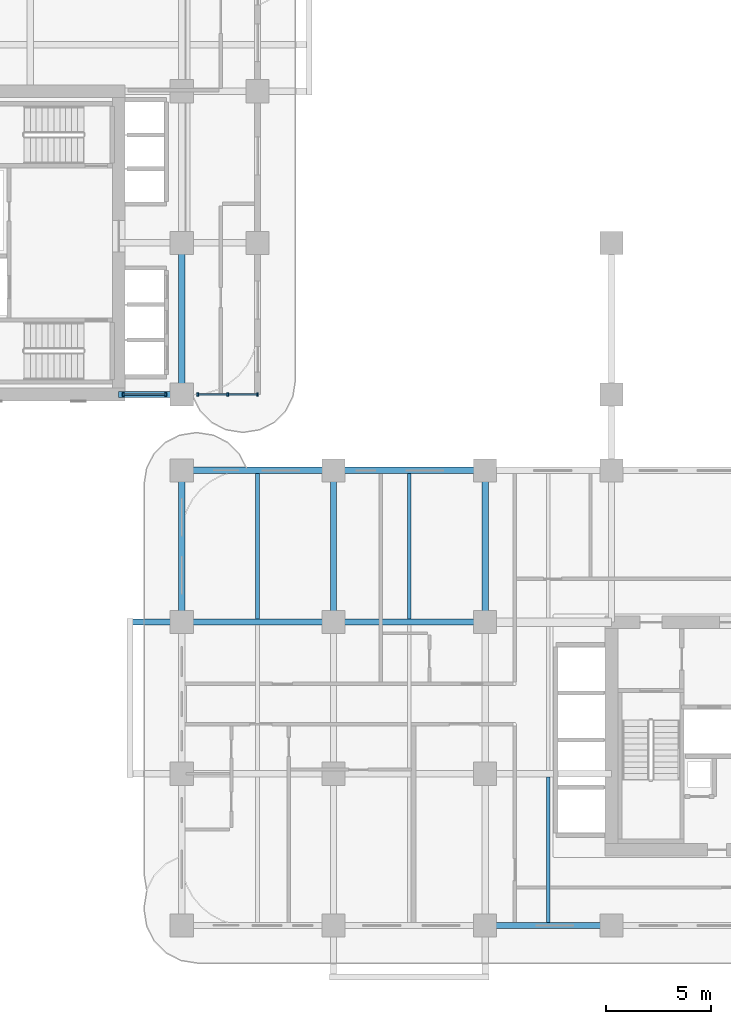
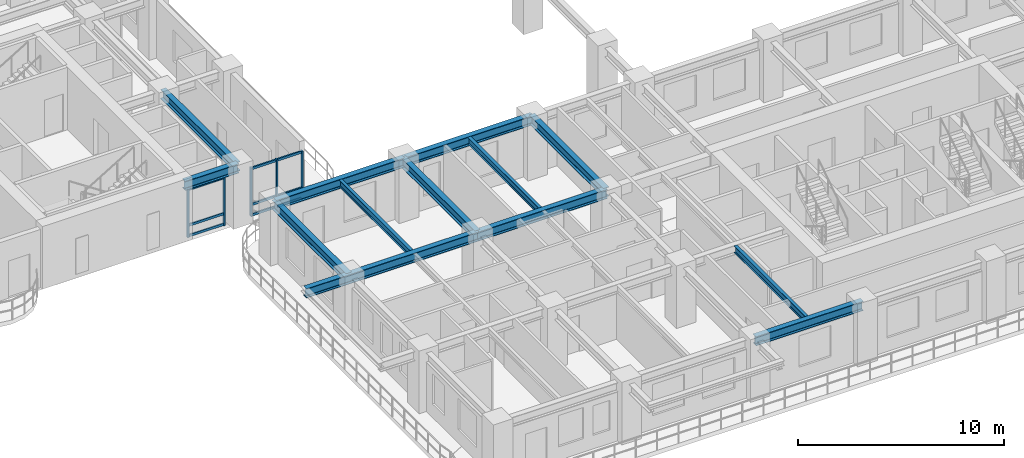
# One storey, part 2 of 18: 14 members, 13 beams, 2 elements without a shape of their own.
"""IFC4 building model written with IfcOpenShell, lengths in metres."""

import ifcopenshell
import ifcopenshell.guid

model = None  # the IFC model being written
_history = None  # IfcOwnerHistory: only IFC2X3 demands one
_inside = {}  # id of a spatial element -> (the spatial element, [elements in it])
_under = {}  # id of a project, library or spatial element -> (it, [spatial elements below it])
_declared = {}  # id of a project -> (the project, [libraries it declares])
_typed = {}  # id of a type object -> (the type object, [elements of that type])
_made_of = {}  # id of a material, layer set ... -> (it, [elements and type objects made of it])


def new_model(schema):
    """Start an empty IFC model of exactly this schema.

    Asked for "IFC4X3", IfcOpenShell would pick the latest addendum, in which some entities
    have other attributes; the version numbers below select the first issue.
    IFC2X3 requires an IfcOwnerHistory on every rooted entity: one is made here for all.
    """
    global model, _history
    if schema == "IFC4X3":
        model = ifcopenshell.file(schema_version=(4, 3, 0, 0))
    else:
        model = ifcopenshell.file(schema=schema)
    _inside.clear()
    _under.clear()
    _declared.clear()
    _typed.clear()
    _made_of.clear()
    _history = None
    if model.schema == "IFC2X3":
        org = make("IfcOrganization", Name="unknown")
        user = make(
            "IfcPersonAndOrganization",
            ThePerson=make("IfcPerson", FamilyName="unknown"),
            TheOrganization=org,
        )
        app = make(
            "IfcApplication",
            ApplicationDeveloper=org,
            Version="unknown",
            ApplicationFullName="unknown",
            ApplicationIdentifier="unknown",
        )
        _history = make(
            "IfcOwnerHistory",
            OwningUser=user,
            OwningApplication=app,
            ChangeAction="ADDED",
            CreationDate=0,
        )
    return model


def make(cls, **values):
    """One entity of the class cls with the attributes given. An attribute that is None is left unset."""
    return model.create_entity(
        cls, **{name: value for name, value in values.items() if value is not None}
    )


def rooted(cls, **values):
    """An entity with a GlobalId (a new one), such as an element, a storey or a relation."""
    return make(cls, GlobalId=ifcopenshell.guid.new(), OwnerHistory=_history, **values)


def si_unit(unit_type, name, prefix=None):
    """IfcSIUnit, for example si_unit("LENGTHUNIT", "METRE", prefix="MILLI")."""
    return make("IfcSIUnit", UnitType=unit_type, Prefix=prefix, Name=name)


def derived_unit(unit_type, elements):
    """IfcDerivedUnit: a product of units, each with its exponent."""
    return make(
        "IfcDerivedUnit",
        Elements=[
            make("IfcDerivedUnitElement", Unit=unit, Exponent=power)
            for unit, power in elements
        ],
        UnitType=unit_type,
    )


def assignment(units):
    """IfcUnitAssignment: the units of a project."""
    return None if units is None else make("IfcUnitAssignment", Units=units)


def point(xyz):
    """IfcCartesianPoint."""
    return None if xyz is None else make("IfcCartesianPoint", Coordinates=xyz)


def direction(xyz):
    """IfcDirection."""
    return None if xyz is None else make("IfcDirection", DirectionRatios=xyz)


def frame(location, z_axis=None, x_axis=None):
    """IfcAxis2Placement3D, a coordinate frame: its origin and axes. An axis left out is left unset."""
    return make(
        "IfcAxis2Placement3D",
        Location=point(location),
        Axis=direction(z_axis),
        RefDirection=direction(x_axis),
    )


def frame_2d(location, x_axis=None):
    """IfcAxis2Placement2D, a coordinate frame in the plane: its origin and x axis."""
    return make(
        "IfcAxis2Placement2D", Location=point(location), RefDirection=direction(x_axis)
    )


def origin():
    """The frame at (0, 0, 0) with its axes left unset."""
    return frame((0.0, 0.0, 0.0))


def origin_2d():
    """The frame at (0, 0) in the plane with its x axis left unset."""
    return frame_2d((0.0, 0.0))


def place(relative_to, where):
    """IfcLocalPlacement: puts the frame where relative to a parent placement (None: the world)."""
    return make(
        "IfcLocalPlacement", PlacementRelTo=relative_to, RelativePlacement=where
    )


def context(
    kind, dimensions, precision=None, world=None, true_north=None, identifier=None
):
    """IfcGeometricRepresentationContext, for example the 3D "Model" context."""
    return make(
        "IfcGeometricRepresentationContext",
        ContextIdentifier=identifier,
        ContextType=kind,
        CoordinateSpaceDimension=dimensions,
        Precision=precision,
        WorldCoordinateSystem=world,
        TrueNorth=true_north,
    )


def subcontext(parent, identifier, kind, view, scale=None):
    """IfcGeometricRepresentationSubContext, for example "Body" below "Model"."""
    return make(
        "IfcGeometricRepresentationSubContext",
        ContextIdentifier=identifier,
        ContextType=kind,
        ParentContext=parent,
        TargetScale=scale,
        TargetView=view,
    )


def project(units=None, contexts=None):
    """IfcProject with its units and contexts."""
    return rooted(
        "IfcProject",
        Name="project",
        RepresentationContexts=contexts,
        UnitsInContext=assignment(units),
    )


def spatial(cls, under=None, at=None, **own):
    """A site, building, storey or space (cls), placed at a placement, below another one or the project."""
    s = rooted(cls, ObjectPlacement=at, **own)
    if under is not None:
        _under.setdefault(under.id(), (under, []))[1].append(s)
    return s


def profile(cls, at=None, kind="AREA", **sizes):
    """A parametric profile (cls). Its sizes go by their IFC names, for example OverallWidth=200.0."""
    return make(cls, ProfileType=kind, Position=at, **sizes)


def rectangle(**sizes):
    """IfcRectangleProfileDef."""
    return profile("IfcRectangleProfileDef", **sizes)


def i_section(**sizes):
    """IfcIShapeProfileDef."""
    return profile("IfcIShapeProfileDef", **sizes)


def extrude(swept, where, along, depth):
    """IfcExtrudedAreaSolid: the profile swept, set in the frame where, extruded along a direction by depth."""
    return make(
        "IfcExtrudedAreaSolid",
        SweptArea=swept,
        Position=where,
        ExtrudedDirection=direction(along),
        Depth=depth,
    )


def shape(context_of_items, identifier, shape_type, items):
    """IfcShapeRepresentation: the items that make up one representation, for example the "Body"."""
    return make(
        "IfcShapeRepresentation",
        ContextOfItems=context_of_items,
        RepresentationIdentifier=identifier,
        RepresentationType=shape_type,
        Items=items,
    )


def source(mapping_origin, context_of_items, identifier, shape_type, items):
    """IfcRepresentationMap: a shape defined once, which mapped items show again and again."""
    return make(
        "IfcRepresentationMap",
        MappingOrigin=mapping_origin,
        MappedRepresentation=shape(context_of_items, identifier, shape_type, items),
    )


def transform(
    local_origin,
    x_axis=None,
    y_axis=None,
    z_axis=None,
    scale=None,
    scale2=None,
    scale3=None,
    uniform=True,
):
    """IfcCartesianTransformationOperator3D, or its non-uniform kind. x_axis, y_axis, z_axis: its Axis1, 2, 3."""
    if uniform:
        return make(
            "IfcCartesianTransformationOperator3D",
            Axis1=direction(x_axis),
            Axis2=direction(y_axis),
            LocalOrigin=point(local_origin),
            Scale=scale,
            Axis3=direction(z_axis),
        )
    return make(
        "IfcCartesianTransformationOperator3DnonUniform",
        Axis1=direction(x_axis),
        Axis2=direction(y_axis),
        LocalOrigin=point(local_origin),
        Scale=scale,
        Axis3=direction(z_axis),
        Scale2=scale2,
        Scale3=scale3,
    )


def mapped(mapping_source, mapping_target):
    """IfcMappedItem: shows the shape of a source again, moved by a transform."""
    return make(
        "IfcMappedItem", MappingSource=mapping_source, MappingTarget=mapping_target
    )


def material(Name=None, Category=None):
    """IfcMaterial."""
    return make("IfcMaterial", Name=Name, Category=Category)


def layer(
    of_material, thickness, ventilated=None, Name=None, Category=None, Priority=None
):
    """IfcMaterialLayer: one layer of a wall or slab, of a material (None: an air gap)."""
    return make(
        "IfcMaterialLayer",
        Material=of_material,
        LayerThickness=thickness,
        IsVentilated=ventilated,
        Name=Name,
        Category=Category,
        Priority=Priority,
    )


def layer_set(layers, Name=None):
    """IfcMaterialLayerSet."""
    return make("IfcMaterialLayerSet", MaterialLayers=layers, LayerSetName=Name)


def material_profile(
    of_material, cross_section, Name=None, Category=None, Priority=None
):
    """IfcMaterialProfile: a cross section and its material."""
    return make(
        "IfcMaterialProfile",
        Name=Name,
        Material=of_material,
        Profile=cross_section,
        Priority=Priority,
        Category=Category,
    )


def profile_set(profiles, Name=None, composite=None):
    """IfcMaterialProfileSet."""
    return make(
        "IfcMaterialProfileSet",
        Name=Name,
        MaterialProfiles=profiles,
        CompositeProfile=composite,
    )


def made_of(thing, what):
    """Note that an element or type object is made of a material, layer set ...; save() writes the relation."""
    if what is not None:
        _made_of.setdefault(what.id(), (what, []))[1].append(thing)
    return thing


def type_object(cls, material=None, **own):
    """A type object (cls), such as IfcWallType, which elements share."""
    return made_of(rooted(cls, **own), material)


def type_shapes(of_type, sources):
    """Give a type object the sources (RepresentationMaps) that its elements show as mapped items."""
    of_type.RepresentationMaps = sources


def element(
    cls,
    number,
    at=None,
    inside=None,
    cuts=None,
    type_object=None,
    material=None,
    context=None,
    identifier="Body",
    shape_type=None,
    held_by="IfcProductDefinitionShape",
    body=None,
    shapes=None,
    **own,
):
    """One element of the class cls, such as IfcWall. Its Tag is "e" and its number.

    at: its placement. inside: the storey or other place that contains it. cuts: it is an
    opening in that element (IfcRelVoidsElement). A single representation is given by context,
    identifier, shape_type and body (its items); several are given by shapes. held_by: the class
    of the entity that holds the representations. save() writes the other relations.
    """
    e = rooted(cls, Tag="e%d" % number, ObjectPlacement=at, **own)
    if body is not None:
        shapes = [shape(context, identifier, shape_type, body)]
    if shapes is not None:
        e.Representation = make(held_by, Representations=shapes)
    if inside is not None:
        _inside.setdefault(inside.id(), (inside, []))[1].append(e)
    if cuts is not None:
        rooted(
            "IfcRelVoidsElement", RelatingBuildingElement=cuts, RelatedOpeningElement=e
        )
    if type_object is not None:
        _typed.setdefault(type_object.id(), (type_object, []))[1].append(e)
    return made_of(e, material)


def aggregate(whole, parts):
    """IfcRelAggregates: a whole, such as a stair, and the parts it consists of."""
    return rooted("IfcRelAggregates", RelatingObject=whole, RelatedObjects=parts)


def save(model, path):
    """Write the relations noted so far, then the file.

    IfcRelAggregates (storeys below a building ...), IfcRelContainedInSpatialStructure (elements
    in a storey), IfcRelDefinesByType, IfcRelAssociatesMaterial and IfcRelDeclares: one each for
    every whole, place, type object, material and project.
    """
    for whole, parts in _under.values():
        aggregate(whole, parts)
    for where, things in _inside.values():
        rooted(
            "IfcRelContainedInSpatialStructure",
            RelatedElements=things,
            RelatingStructure=where,
        )
    for kind, things in _typed.values():
        rooted("IfcRelDefinesByType", RelatedObjects=things, RelatingType=kind)
    for what, things in _made_of.values():
        rooted("IfcRelAssociatesMaterial", RelatedObjects=things, RelatingMaterial=what)
    for by, libraries in _declared.values():
        rooted("IfcRelDeclares", RelatingContext=by, RelatedDefinitions=libraries)
    model.write(path)


model = new_model("IFC4")

# Units and contexts
model_context = context("Model", 3, precision=1e-05, world=origin(), true_north=direction((0.0, 1.0)))
body_context = subcontext(model_context, "Body", "Model", "MODEL_VIEW")
ifc_project = project(units=[si_unit("LENGTHUNIT", "METRE"), si_unit("AREAUNIT", "SQUARE_METRE"), si_unit("VOLUMEUNIT", "CUBIC_METRE"), si_unit("PLANEANGLEUNIT", "RADIAN"), si_unit("MASSUNIT", "GRAM", prefix="KILO"), si_unit("THERMODYNAMICTEMPERATUREUNIT", "KELVIN"), si_unit("POWERUNIT", "WATT"), derived_unit("THERMALTRANSMITTANCEUNIT", [(si_unit("POWERUNIT", "WATT"), 1), (si_unit("AREAUNIT", "SQUARE_METRE"), -1), (si_unit("THERMODYNAMICTEMPERATUREUNIT", "KELVIN"), -1)])], contexts=[model_context])

# Site, building, storey
site_placement = place(None, origin())
site = spatial("IfcSite", under=ifc_project, at=site_placement, CompositionType="ELEMENT")
building_placement = place(site_placement, origin())
building = spatial("IfcBuilding", under=site, at=building_placement, Name="Zahravan Archway Hotel and Residences", CompositionType="ELEMENT")
storey_placement = place(building_placement, frame((0.0, 0.0, 58.300048828125)))
storey = spatial("IfcBuildingStorey", under=building, at=storey_placement, Name="L13", CompositionType="ELEMENT", Elevation=58.300048828125)

# Beams
ifc_material_1 = material(Name="Structural Steel S355JR", Category="steel")
ifc_material_profile_1 = material_profile(ifc_material_1, i_section(OverallWidth=0.300048828125, OverallDepth=0.550048828125, WebThickness=0.014892578125, FlangeThickness=0.029052734375, FilletRadius=0.027099609375, at=origin_2d()), Name="HEB 550", Category="steel")
ifc_profile_set_1 = profile_set([ifc_material_profile_1], Name="Structural Steel S355JR")
beam_type_1 = type_object("IfcBeamType", Name="BM-PRI-HEB550", PredefinedType="BEAM", material=ifc_profile_set_1)
shared_shape_1 = source(origin(), body_context, "Body", "SweptSolid", [
    extrude(i_section(OverallWidth=0.300048828125, OverallDepth=0.550048828125, WebThickness=0.014892578125, FlangeThickness=0.029052734375, FilletRadius=0.027099609375, at=origin_2d()), origin(), (0.0, 0.0, 1.0), 7.2001953125),
])
type_shapes(beam_type_1, [shared_shape_1])
for number, where, z_axis, x_axis, name in (
    (1, (14.39990234375, 21.60009765625, 3.175048828125), (1.0, 0.0, 0.0), (0.0, 1.0, 0.0), "L13 Primary Girder EW-14"),
    (2, (14.39990234375, 14.39990234375, 3.175048828125), (0.0, 1.0, 0.0), (-1.0, 0.0, 0.0), "L13 Primary Girder NS-33"),
    (3, (21.60009765625, 14.39990234375, 3.175048828125), (0.0, 1.0, 0.0), (-1.0, 0.0, 0.0), "L13 Primary Girder NS-39"),
    (4, (28.800048828125, 14.39990234375, 3.175048828125), (0.0, 1.0, 0.0), (-1.0, 0.0, 0.0), "L13 Primary Girder NS-42"),
):
    element("IfcBeam", number, at=place(storey_placement, frame(where, z_axis=z_axis, x_axis=x_axis)), inside=storey, type_object=beam_type_1, Name=name, PredefinedType="BEAM", context=body_context, shape_type="MappedRepresentation", body=[
        mapped(shared_shape_1, transform((0.0, 0.0, 0.0), scale=1.0)),
    ])
shared_shape_2 = source(origin(), body_context, "Body", "SweptSolid", [
    extrude(i_section(OverallWidth=0.300048828125, OverallDepth=0.550048828125, WebThickness=0.014892578125, FlangeThickness=0.029052734375, FilletRadius=0.027099609375, at=origin_2d()), origin(), (0.0, 0.0, 1.0), 7.199951171875),
])
for number, where, z_axis, x_axis, name in (
    (5, (21.60009765625, 14.39990234375, 3.175048828125), (1.0, 0.0, 0.0), (0.0, 1.0, 0.0), "L13 Primary Girder EW-12"),
    (6, (21.60009765625, 21.60009765625, 3.175048828125), (1.0, 0.0, 0.0), (0.0, 1.0, 0.0), "L13 Primary Girder EW-15"),
    (7, (14.39990234375, 25.199951171875, 3.175048828125), (0.0, 1.0, 0.0), (-1.0, 0.0, 0.0), "L13 Primary Girder NS-34"),
):
    element("IfcBeam", number, at=place(storey_placement, frame(where, z_axis=z_axis, x_axis=x_axis)), inside=storey, type_object=beam_type_1, Name=name, PredefinedType="BEAM", context=body_context, shape_type="MappedRepresentation", body=[
        mapped(shared_shape_2, transform((0.0, 0.0, 0.0), scale=1.0)),
    ])
shared_shape_3 = source(origin(), body_context, "Body", "SweptSolid", [
    extrude(i_section(OverallWidth=0.300048828125, OverallDepth=0.550048828125, WebThickness=0.014892578125, FlangeThickness=0.029052734375, FilletRadius=0.027099609375, at=origin_2d()), origin(), (0.0, 0.0, 1.0), 6.0),
])
beam_1_placement = place(storey_placement, frame((28.800048828125, 0.0, 3.175048828125), z_axis=(1.0, 0.0, 0.0), x_axis=(0.0, 1.0, 0.0)))
element("IfcBeam", 8, at=beam_1_placement, inside=storey, type_object=beam_type_1, Name="L13 Primary Girder EW-03", PredefinedType="BEAM", context=body_context, shape_type="MappedRepresentation", body=[
    mapped(shared_shape_3, transform((0.0, 0.0, 0.0), scale=1.0)),
])
shared_shape_4 = source(origin(), body_context, "Body", "SweptSolid", [
    extrude(i_section(OverallWidth=0.300048828125, OverallDepth=0.550048828125, WebThickness=0.014892578125, FlangeThickness=0.029052734375, FilletRadius=0.027099609375, at=origin_2d()), origin(), (0.0, 0.0, 1.0), 3.0),
])
beam_2_placement = place(storey_placement, frame((11.39990234375, 25.199951171875, 3.175048828125), z_axis=(1.0, 0.0, 0.0), x_axis=(0.0, 1.0, 0.0)))
element("IfcBeam", 9, at=beam_2_placement, inside=storey, type_object=beam_type_1, Name="L13 Primary Girder EW-20", PredefinedType="BEAM", context=body_context, shape_type="MappedRepresentation", body=[
    mapped(shared_shape_4, transform((0.0, 0.0, 0.0), scale=1.0)),
])
ifc_material_profile_2 = material_profile(ifc_material_1, i_section(OverallWidth=0.179931640625, OverallDepth=0.39990234375, WebThickness=0.008544921875, FlangeThickness=0.013427734375, FilletRadius=0.02099609375, at=origin_2d()), Name="IPE 400", Category="steel")
ifc_profile_set_2 = profile_set([ifc_material_profile_2], Name="Structural Steel S355JR")
beam_type_2 = type_object("IfcBeamType", Name="BM-JST-IPE400", PredefinedType="JOIST", material=ifc_profile_set_2)
shared_shape_5 = source(origin(), body_context, "Body", "SweptSolid", [
    extrude(i_section(OverallWidth=0.179931640625, OverallDepth=0.39990234375, WebThickness=0.008544921875, FlangeThickness=0.013427734375, FilletRadius=0.02099609375, at=origin_2d()), origin(), (0.0, 0.0, 1.0), 6.904052734375),
])
type_shapes(beam_type_2, [shared_shape_5])
beam_3_placement = place(storey_placement, frame((31.800048828125, 0.14794921875, 3.25), z_axis=(0.0, 1.0, 0.0), x_axis=(-1.0, 0.0, 0.0)))
element("IfcBeam", 10, at=beam_3_placement, inside=storey, type_object=beam_type_2, Name="L13 Composite Floor Joist 03", PredefinedType="JOIST", context=body_context, shape_type="MappedRepresentation", body=[
    mapped(shared_shape_5, transform((0.0, 0.0, 0.0), scale=1.0)),
])
shared_shape_6 = source(origin(), body_context, "Body", "SweptSolid", [
    extrude(i_section(OverallWidth=0.179931640625, OverallDepth=0.39990234375, WebThickness=0.008544921875, FlangeThickness=0.013427734375, FilletRadius=0.02099609375, at=origin_2d()), origin(), (0.0, 0.0, 1.0), 6.90380859375),
])
for number, where, z_axis, x_axis, name in (
    (11, (18.0, 14.548095703125, 3.25), (0.0, 1.0, 0.0), (-1.0, 0.0, 0.0), "L13 Composite Floor Joist 10"),
    (12, (25.199951171875, 14.548095703125, 3.25), (0.0, 1.0, 0.0), (-1.0, 0.0, 0.0), "L13 Composite Floor Joist 11"),
):
    element("IfcBeam", number, at=place(storey_placement, frame(where, z_axis=z_axis, x_axis=x_axis)), inside=storey, type_object=beam_type_2, Name=name, PredefinedType="JOIST", context=body_context, shape_type="MappedRepresentation", body=[
        mapped(shared_shape_6, transform((0.0, 0.0, 0.0), scale=1.0)),
    ])
shared_shape_7 = source(origin(), body_context, "Body", "SweptSolid", [
    extrude(i_section(OverallWidth=0.300048828125, OverallDepth=0.550048828125, WebThickness=0.014892578125, FlangeThickness=0.029052734375, FilletRadius=0.027099609375, at=origin_2d()), origin(), (0.0, 0.0, 1.0), 9.650146484375),
])
beam_4_placement = place(storey_placement, frame((11.949951171875, 14.39990234375, 3.175048828125), z_axis=(1.0, 0.0, 0.0), x_axis=(0.0, 1.0, 0.0)))
element("IfcBeam", 13, at=beam_4_placement, inside=storey, type_object=beam_type_1, Name="L13 Primary Girder EW-11", PredefinedType="BEAM", context=body_context, shape_type="MappedRepresentation", body=[
    mapped(shared_shape_7, transform((0.0, 0.0, 0.0), scale=1.0)),
])

# Curtain wall, members
ifc_material_2 = material(Name="Bronze-Anodized Unitised Aluminium & Low-E Glass", Category="aluminium")
ifc_layer = layer(ifc_material_2, 0.179931640625, Name="Bronze-Anodized Unitised Aluminium & Low-E Glass", Category="aluminium")
ifc_layer_set = layer_set([ifc_layer], Name="Bronze-Anodized Unitised Aluminium & Low-E Glass")
curtain_wall_type = type_object("IfcCurtainWallType", Name="CW-ATR-GLAZ", PredefinedType="NOTDEFINED", material=ifc_layer_set)
curtain_wall_1_placement = place(storey_placement, origin())
curtain_wall_1 = element("IfcCurtainWall", 14, at=curtain_wall_1_placement, inside=storey, type_object=curtain_wall_type, Name="L13 Curtain Wall CW-L13-WB-SE-2", PredefinedType="NOTDEFINED")
ifc_material_3 = material(Name="Bronze-Anodized Extruded Aluminium", Category="aluminium")
ifc_material_profile_3 = material_profile(ifc_material_3, rectangle(XDim=0.080078125, YDim=0.139892578125, at=origin_2d()), Name="TRN 80x140", Category="aluminium")
ifc_profile_set_3 = profile_set([ifc_material_profile_3], Name="Bronze-Anodized Extruded Aluminium")
member_type_1 = type_object("IfcMemberType", Name="CWM-TRN-140", PredefinedType="USERDEFINED", material=ifc_profile_set_3)
shared_shape_8 = source(origin(), body_context, "Body", "SweptSolid", [
    extrude(rectangle(XDim=0.080078125, YDim=0.139892578125, at=origin_2d()), origin(), (0.0, 0.0, 1.0), 1.33984375),
])
member_1_placement = place(storey_placement, frame((16.6201171875, 25.199951171875, 0.070068359375), z_axis=(1.0, 0.0, 0.0), x_axis=(0.0, 1.0, 0.0)))
member_1 = element("IfcMember", 15, at=member_1_placement, type_object=member_type_1, Name="CW-L13-WB-SE-2 Transom 1-1", ObjectType="TRANSOM", PredefinedType="USERDEFINED", context=body_context, shape_type="MappedRepresentation", body=[
    mapped(shared_shape_8, transform((0.0, 0.0, 0.0), scale=1.0)),
])
member_2_placement = place(storey_placement, frame((16.6201171875, 25.199951171875, 0.6923828125), z_axis=(1.0, 0.0, 0.0), x_axis=(0.0, 1.0, 0.0)))
member_2 = element("IfcMember", 16, at=member_2_placement, type_object=member_type_1, Name="CW-L13-WB-SE-2 Transom 1-2", ObjectType="TRANSOM", PredefinedType="USERDEFINED", context=body_context, shape_type="MappedRepresentation", body=[
    mapped(shared_shape_8, transform((0.0, 0.0, 0.0), scale=1.0)),
])
member_3_placement = place(storey_placement, frame((16.6201171875, 25.199951171875, 2.81494140625), z_axis=(1.0, 0.0, 0.0), x_axis=(0.0, 1.0, 0.0)))
member_3 = element("IfcMember", 17, at=member_3_placement, type_object=member_type_1, Name="CW-L13-WB-SE-2 Transom 1-3", ObjectType="TRANSOM", PredefinedType="USERDEFINED", context=body_context, shape_type="MappedRepresentation", body=[
    mapped(shared_shape_8, transform((0.0, 0.0, 0.0), scale=1.0)),
])
shared_shape_9 = source(origin(), body_context, "Body", "SweptSolid", [
    extrude(rectangle(XDim=0.080078125, YDim=0.139892578125, at=origin_2d()), origin(), (0.0, 0.0, 1.0), 1.340087890625),
])
member_4_placement = place(storey_placement, frame((15.199951171875, 25.199951171875, 0.070068359375), z_axis=(1.0, 0.0, 0.0), x_axis=(0.0, 1.0, 0.0)))
member_4 = element("IfcMember", 18, at=member_4_placement, type_object=member_type_1, Name="CW-L13-WB-SE-2 Transom 0-1", ObjectType="TRANSOM", PredefinedType="USERDEFINED", context=body_context, shape_type="MappedRepresentation", body=[
    mapped(shared_shape_9, transform((0.0, 0.0, 0.0), scale=1.0)),
])
member_5_placement = place(storey_placement, frame((15.199951171875, 25.199951171875, 0.6923828125), z_axis=(1.0, 0.0, 0.0), x_axis=(0.0, 1.0, 0.0)))
member_5 = element("IfcMember", 19, at=member_5_placement, type_object=member_type_1, Name="CW-L13-WB-SE-2 Transom 0-2", ObjectType="TRANSOM", PredefinedType="USERDEFINED", context=body_context, shape_type="MappedRepresentation", body=[
    mapped(shared_shape_9, transform((0.0, 0.0, 0.0), scale=1.0)),
])
member_6_placement = place(storey_placement, frame((15.199951171875, 25.199951171875, 2.81494140625), z_axis=(1.0, 0.0, 0.0), x_axis=(0.0, 1.0, 0.0)))
member_6 = element("IfcMember", 20, at=member_6_placement, type_object=member_type_1, Name="CW-L13-WB-SE-2 Transom 0-3", ObjectType="TRANSOM", PredefinedType="USERDEFINED", context=body_context, shape_type="MappedRepresentation", body=[
    mapped(shared_shape_9, transform((0.0, 0.0, 0.0), scale=1.0)),
])

curtain_wall_2_placement = place(storey_placement, origin())
curtain_wall_2 = element("IfcCurtainWall", 21, at=curtain_wall_2_placement, inside=storey, type_object=curtain_wall_type, Name="L13 Curtain Wall CW-L13-WB-SE-1", PredefinedType="NOTDEFINED")
ifc_material_profile_4 = material_profile(ifc_material_3, rectangle(XDim=0.080078125, YDim=0.159912109375, at=origin_2d()), Name="MUL 80x160", Category="aluminium")
ifc_profile_set_4 = profile_set([ifc_material_profile_4], Name="Bronze-Anodized Extruded Aluminium")
member_type_2 = type_object("IfcMemberType", Name="CWM-MUL-160", PredefinedType="MULLION", material=ifc_profile_set_4)
shared_shape_10 = source(origin(), body_context, "Body", "SweptSolid", [
    extrude(rectangle(XDim=0.080078125, YDim=0.159912109375, at=origin_2d()), origin(), (0.0, 0.0, 1.0), 2.885009765625),
])
member_7_placement = place(storey_placement, frame((11.6201171875, 25.199951171875, 0.0), z_axis=(0.0, 0.0, 1.0), x_axis=(1.0, 0.0, 0.0)))
member_7 = element("IfcMember", 22, at=member_7_placement, type_object=member_type_2, Name="CW-L13-WB-SE-1 Mullion 0", PredefinedType="MULLION", context=body_context, shape_type="MappedRepresentation", body=[
    mapped(shared_shape_10, transform((0.0, 0.0, 0.0), scale=1.0)),
])
member_8_placement = place(storey_placement, frame((13.639892578125, 25.199951171875, 0.0), z_axis=(0.0, 0.0, 1.0), x_axis=(1.0, 0.0, 0.0)))
member_8 = element("IfcMember", 23, at=member_8_placement, type_object=member_type_2, Name="CW-L13-WB-SE-1 Mullion 1", PredefinedType="MULLION", context=body_context, shape_type="MappedRepresentation", body=[
    mapped(shared_shape_10, transform((0.0, 0.0, 0.0), scale=1.0)),
])

# Member
member_9_placement = place(storey_placement, frame((15.159912109375, 25.199951171875, 0.0), z_axis=(0.0, 0.0, 1.0), x_axis=(1.0, 0.0, 0.0)))
member_9 = element("IfcMember", 24, at=member_9_placement, type_object=member_type_2, Name="CW-L13-WB-SE-2 Mullion 0", PredefinedType="MULLION", context=body_context, shape_type="MappedRepresentation", body=[
    mapped(shared_shape_10, transform((0.0, 0.0, 0.0), scale=1.0)),
])

member_10_placement = place(storey_placement, frame((16.580078125, 25.199951171875, 0.0), z_axis=(0.0, 0.0, 1.0), x_axis=(1.0, 0.0, 0.0)))
member_10 = element("IfcMember", 25, at=member_10_placement, type_object=member_type_2, Name="CW-L13-WB-SE-2 Mullion 1", PredefinedType="MULLION", context=body_context, shape_type="MappedRepresentation", body=[
    mapped(shared_shape_10, transform((0.0, 0.0, 0.0), scale=1.0)),
])

member_11_placement = place(storey_placement, frame((18.0, 25.199951171875, 0.0), z_axis=(0.0, 0.0, 1.0), x_axis=(1.0, 0.0, 0.0)))
member_11 = element("IfcMember", 26, at=member_11_placement, type_object=member_type_2, Name="CW-L13-WB-SE-2 Mullion 2", PredefinedType="MULLION", context=body_context, shape_type="MappedRepresentation", body=[
    mapped(shared_shape_10, transform((0.0, 0.0, 0.0), scale=1.0)),
])

aggregate(curtain_wall_1, [member_9, member_10, member_11, member_4, member_5, member_6, member_1, member_2, member_3])

shared_shape_11 = source(origin(), body_context, "Body", "SweptSolid", [
    extrude(rectangle(XDim=0.080078125, YDim=0.139892578125, at=origin_2d()), origin(), (0.0, 0.0, 1.0), 1.940185546875),
])
member_12_placement = place(storey_placement, frame((11.659912109375, 25.199951171875, 0.070068359375), z_axis=(1.0, 0.0, 0.0), x_axis=(0.0, 1.0, 0.0)))
member_12 = element("IfcMember", 27, at=member_12_placement, type_object=member_type_1, Name="CW-L13-WB-SE-1 Transom 0-1", ObjectType="TRANSOM", PredefinedType="USERDEFINED", context=body_context, shape_type="MappedRepresentation", body=[
    mapped(shared_shape_11, transform((0.0, 0.0, 0.0), scale=1.0)),
])

member_13_placement = place(storey_placement, frame((11.659912109375, 25.199951171875, 0.6923828125), z_axis=(1.0, 0.0, 0.0), x_axis=(0.0, 1.0, 0.0)))
member_13 = element("IfcMember", 28, at=member_13_placement, type_object=member_type_1, Name="CW-L13-WB-SE-1 Transom 0-2", ObjectType="TRANSOM", PredefinedType="USERDEFINED", context=body_context, shape_type="MappedRepresentation", body=[
    mapped(shared_shape_11, transform((0.0, 0.0, 0.0), scale=1.0)),
])

member_14_placement = place(storey_placement, frame((11.659912109375, 25.199951171875, 2.81494140625), z_axis=(1.0, 0.0, 0.0), x_axis=(0.0, 1.0, 0.0)))
member_14 = element("IfcMember", 29, at=member_14_placement, type_object=member_type_1, Name="CW-L13-WB-SE-1 Transom 0-3", ObjectType="TRANSOM", PredefinedType="USERDEFINED", context=body_context, shape_type="MappedRepresentation", body=[
    mapped(shared_shape_11, transform((0.0, 0.0, 0.0), scale=1.0)),
])

aggregate(curtain_wall_2, [member_7, member_8, member_12, member_13, member_14])

save(model, "model.ifc")
